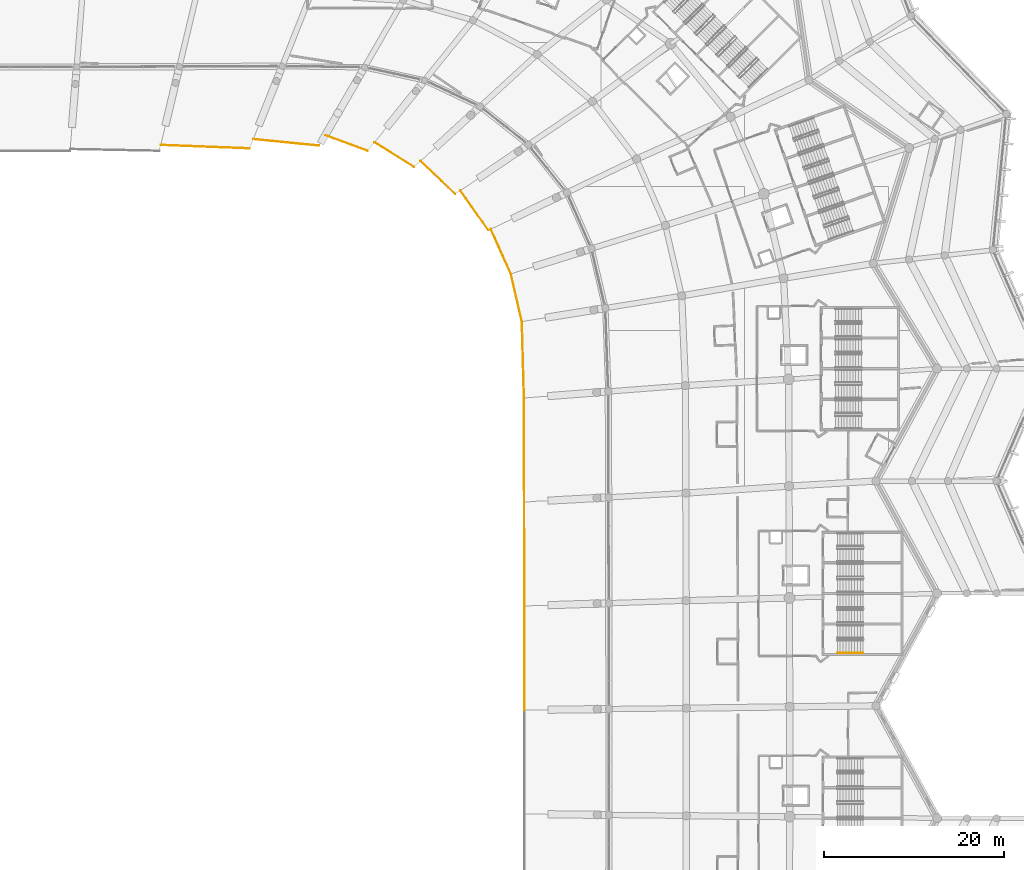
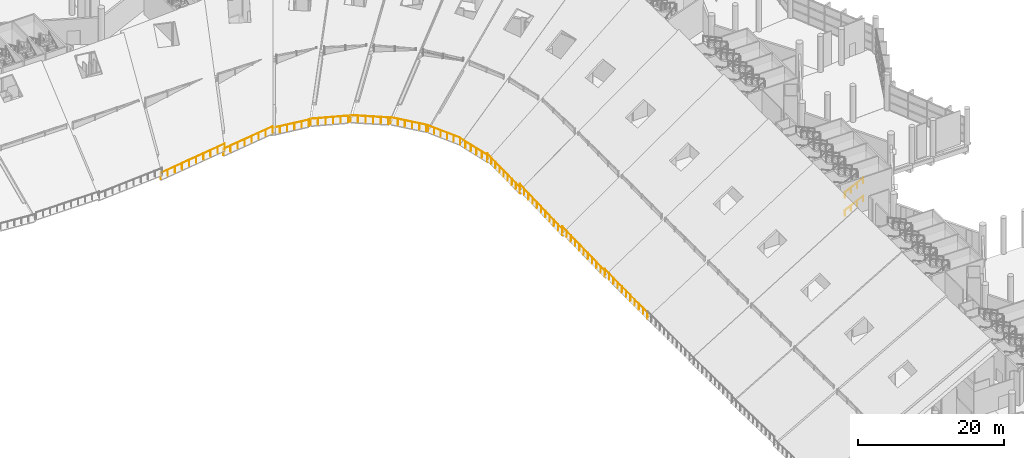
# One storey, part 240 of 249: 14 railings.
"""IFC4 building model written with IfcOpenShell, lengths in metres."""

from ifc_helpers import new_model, si_unit, direction, frame, origin, origin_2d, place, context, subcontext, project, spatial, circle, extrude, material, type_object, element, save


model = new_model("IFC4")

# Units and contexts
model_context = context("Model", 3, precision=1e-05, world=origin(), true_north=direction((0.0, 1.0)))
body_context = subcontext(model_context, "Body", "Model", "MODEL_VIEW")
ifc_project = project(units=[si_unit("LENGTHUNIT", "METRE"), si_unit("AREAUNIT", "SQUARE_METRE"), si_unit("VOLUMEUNIT", "CUBIC_METRE"), si_unit("PLANEANGLEUNIT", "RADIAN"), si_unit("MASSUNIT", "GRAM", prefix="KILO")], contexts=[model_context])

# Site, building, storey
site_placement = place(None, origin())
site = spatial("IfcSite", under=ifc_project, at=site_placement, CompositionType="ELEMENT")
building_placement = place(site_placement, origin())
building = spatial("IfcBuilding", under=site, at=building_placement, Name="Meseta Stadium", CompositionType="ELEMENT")
storey_placement = place(building_placement, frame((0.0, 0.0, 12.0)))
storey = spatial("IfcBuildingStorey", under=building, at=storey_placement, Name="L02", CompositionType="ELEMENT", Elevation=12.0)

# Railings
ifc_material_1 = material(Name="Steel S355", Category="steel")
railing_type_1 = type_object("IfcRailingType", Name="Stair handrail 900", PredefinedType="HANDRAIL", material=ifc_material_1)
for number, where, name in (
    (1, (90.300048828125, 12.10009765625, 0.14990234375), "ST13 L02 handrail 1"),
    (2, (90.300048828125, 12.10009765625, 3.14990234375), "ST13 L02 handrail 3"),
):
    element("IfcRailing", number, at=place(storey_placement, frame(where)), inside=storey, type_object=railing_type_1, Name=name, PredefinedType="HANDRAIL", context=body_context, shape_type="SweptSolid", body=[
        extrude(circle(Radius=0.02392578125, at=origin_2d()), frame((0.0, 0.0, 0.8759765625), z_axis=(0.905440498372, 0.0, 0.424473207528), x_axis=(0.0, 1.0, 0.0)), (0.0, 0.0, 1.0), 3.1806640625),
        extrude(circle(Radius=0.02099609375, at=origin_2d()), origin(), (0.0, 0.0, 1.0), 0.851806640625),
        extrude(circle(Radius=0.02099609375, at=origin_2d()), frame((0.9599609375, 0.0, 0.449951171875)), (0.0, 0.0, 1.0), 0.851806640625),
        extrude(circle(Radius=0.02099609375, at=origin_2d()), frame((1.919921875, 0.0, 0.900146484375)), (0.0, 0.0, 1.0), 0.851806640625),
        extrude(circle(Radius=0.02099609375, at=origin_2d()), frame((2.8798828125, 0.0, 1.35009765625)), (0.0, 0.0, 1.0), 0.851806640625),
    ])
ifc_material_2 = material(Name="Steel S355", Category="steel")
railing_type_2 = type_object("IfcRailingType", Name="Stand edge guard 1100", PredefinedType="GUARDRAIL", material=ifc_material_2)
railing_1_placement = place(storey_placement, frame((55.4990234375, 5.783935546875, -1.0146484375)))
element("IfcRailing", 3, at=railing_1_placement, inside=storey, type_object=railing_type_2, Name="Stand upper tier front guard bay 06", PredefinedType="GUARDRAIL", context=body_context, shape_type="SweptSolid", body=[
    extrude(circle(Radius=0.02490234375, at=origin_2d()), frame((0.0, 0.0, 1.0751953125), z_axis=(-0.000590889044, 0.999910880871, 0.013337209842), x_axis=(-0.999999825394, -0.000590941605, 0.0)), (0.0, 0.0, 1.0), 11.56884765625),
    extrude(circle(Radius=0.02001953125, at=origin_2d()), origin(), (0.0, 0.0, 1.0), 1.050048828125),
    extrude(circle(Radius=0.02001953125, at=origin_2d()), frame((-0.000732421875, 1.15673828125, 0.015380859375)), (0.0, 0.0, 1.0), 1.050048828125),
    extrude(circle(Radius=0.02001953125, at=origin_2d()), frame((-0.00146484375, 2.3134765625, 0.03076171875)), (0.0, 0.0, 1.0), 1.050048828125),
    extrude(circle(Radius=0.02001953125, at=origin_2d()), frame((-0.001953125, 3.470458984375, 0.04638671875)), (0.0, 0.0, 1.0), 1.050048828125),
    extrude(circle(Radius=0.02001953125, at=origin_2d()), frame((-0.002685546875, 4.627197265625, 0.061767578125)), (0.0, 0.0, 1.0), 1.050048828125),
    extrude(circle(Radius=0.02001953125, at=origin_2d()), frame((-0.00341796875, 5.783935546875, 0.0771484375)), (0.0, 0.0, 1.0), 1.050048828125),
    extrude(circle(Radius=0.02001953125, at=origin_2d()), frame((-0.004150390625, 6.940673828125, 0.092529296875)), (0.0, 0.0, 1.0), 1.050048828125),
    extrude(circle(Radius=0.02001953125, at=origin_2d()), frame((-0.0048828125, 8.097412109375, 0.10791015625)), (0.0, 0.0, 1.0), 1.050048828125),
    extrude(circle(Radius=0.02001953125, at=origin_2d()), frame((-0.00537109375, 9.25439453125, 0.12353515625)), (0.0, 0.0, 1.0), 1.050048828125),
    extrude(circle(Radius=0.02001953125, at=origin_2d()), frame((-0.006103515625, 10.4111328125, 0.138916015625)), (0.0, 0.0, 1.0), 1.050048828125),
    extrude(circle(Radius=0.02001953125, at=origin_2d()), frame((-0.0068359375, 11.56787109375, 0.154296875)), (0.0, 0.0, 1.0), 1.050048828125),
])
railing_2_placement = place(storey_placement, frame((55.4921875, 17.351806640625, -1.091552734375)))
element("IfcRailing", 4, at=railing_2_placement, inside=storey, type_object=railing_type_2, Name="Stand upper tier front guard bay 07", PredefinedType="GUARDRAIL", context=body_context, shape_type="SweptSolid", body=[
    extrude(circle(Radius=0.02490234375, at=origin_2d()), frame((0.0, 0.0, 1.0751953125), z_axis=(-0.00120266259, 0.999644705221, 0.026627371733), x_axis=(-0.999999276288, -0.001203089171, 0.0)), (0.0, 0.0, 1.0), 11.571044921875),
    extrude(circle(Radius=0.02001953125, at=origin_2d()), origin(), (0.0, 0.0, 1.0), 1.050048828125),
    extrude(circle(Radius=0.02001953125, at=origin_2d()), frame((-0.00146484375, 1.15673828125, 0.03076171875)), (0.0, 0.0, 1.0), 1.050048828125),
    extrude(circle(Radius=0.02001953125, at=origin_2d()), frame((-0.002685546875, 2.3134765625, 0.0615234375)), (0.0, 0.0, 1.0), 1.050048828125),
    extrude(circle(Radius=0.02001953125, at=origin_2d()), frame((-0.004150390625, 3.469970703125, 0.092529296875)), (0.0, 0.0, 1.0), 1.050048828125),
    extrude(circle(Radius=0.02001953125, at=origin_2d()), frame((-0.005615234375, 4.626708984375, 0.123291015625)), (0.0, 0.0, 1.0), 1.050048828125),
    extrude(circle(Radius=0.02001953125, at=origin_2d()), frame((-0.0068359375, 5.783447265625, 0.154052734375)), (0.0, 0.0, 1.0), 1.050048828125),
    extrude(circle(Radius=0.02001953125, at=origin_2d()), frame((-0.00830078125, 6.940185546875, 0.184814453125)), (0.0, 0.0, 1.0), 1.050048828125),
    extrude(circle(Radius=0.02001953125, at=origin_2d()), frame((-0.009765625, 8.096923828125, 0.215576171875)), (0.0, 0.0, 1.0), 1.050048828125),
    extrude(circle(Radius=0.02001953125, at=origin_2d()), frame((-0.01123046875, 9.25341796875, 0.24658203125)), (0.0, 0.0, 1.0), 1.050048828125),
    extrude(circle(Radius=0.02001953125, at=origin_2d()), frame((-0.012451171875, 10.41015625, 0.27734375)), (0.0, 0.0, 1.0), 1.050048828125),
    extrude(circle(Radius=0.02001953125, at=origin_2d()), frame((-0.013916015625, 11.56689453125, 0.30810546875)), (0.0, 0.0, 1.0), 1.050048828125),
])
railing_3_placement = place(storey_placement, frame((55.478271484375, 28.918701171875, -1.168212890625)))
element("IfcRailing", 5, at=railing_3_placement, inside=storey, type_object=railing_type_2, Name="Stand upper tier front guard bay 08", PredefinedType="GUARDRAIL", context=body_context, shape_type="SweptSolid", body=[
    extrude(circle(Radius=0.02490234375, at=origin_2d()), frame((0.0, 0.0, 1.0751953125), z_axis=(-0.001792804063, 0.999203525403, 0.039863525626), x_axis=(-0.999998390368, -0.001794230236, 0.0)), (0.0, 0.0, 1.0), 11.5751953125),
    extrude(circle(Radius=0.02001953125, at=origin_2d()), origin(), (0.0, 0.0, 1.0), 1.050048828125),
    extrude(circle(Radius=0.02001953125, at=origin_2d()), frame((-0.001953125, 1.156494140625, 0.046142578125)), (0.0, 0.0, 1.0), 1.050048828125),
    extrude(circle(Radius=0.02001953125, at=origin_2d()), frame((-0.004150390625, 2.313232421875, 0.09228515625)), (0.0, 0.0, 1.0), 1.050048828125),
    extrude(circle(Radius=0.02001953125, at=origin_2d()), frame((-0.00634765625, 3.4697265625, 0.138427734375)), (0.0, 0.0, 1.0), 1.050048828125),
    extrude(circle(Radius=0.02001953125, at=origin_2d()), frame((-0.00830078125, 4.62646484375, 0.1845703125)), (0.0, 0.0, 1.0), 1.050048828125),
    extrude(circle(Radius=0.02001953125, at=origin_2d()), frame((-0.01025390625, 5.782958984375, 0.230712890625)), (0.0, 0.0, 1.0), 1.050048828125),
    extrude(circle(Radius=0.02001953125, at=origin_2d()), frame((-0.012451171875, 6.939453125, 0.27685546875)), (0.0, 0.0, 1.0), 1.050048828125),
    extrude(circle(Radius=0.02001953125, at=origin_2d()), frame((-0.014404296875, 8.09619140625, 0.322998046875)), (0.0, 0.0, 1.0), 1.050048828125),
    extrude(circle(Radius=0.02001953125, at=origin_2d()), frame((-0.0166015625, 9.252685546875, 0.369140625)), (0.0, 0.0, 1.0), 1.050048828125),
    extrude(circle(Radius=0.02001953125, at=origin_2d()), frame((-0.0185546875, 10.409423828125, 0.415283203125)), (0.0, 0.0, 1.0), 1.050048828125),
    extrude(circle(Radius=0.02001953125, at=origin_2d()), frame((-0.020751953125, 11.56591796875, 0.46142578125)), (0.0, 0.0, 1.0), 1.050048828125),
])
railing_4_placement = place(storey_placement, frame((55.45751953125, 40.484619140625, -1.177734375)))
element("IfcRailing", 6, at=railing_4_placement, inside=storey, type_object=railing_type_2, Name="Stand upper tier front guard bay 09", PredefinedType="GUARDRAIL", context=body_context, shape_type="SweptSolid", body=[
    extrude(circle(Radius=0.02490234375, at=origin_2d()), frame((0.0, 0.0, 1.0751953125), z_axis=(-0.027746765401, 0.998023634035, 0.056382115232), x_axis=(-0.999613756303, -0.027790973522, 0.0)), (0.0, 0.0, 1.0), 8.517333984375),
    extrude(circle(Radius=0.02001953125, at=origin_2d()), origin(), (0.0, 0.0, 1.0), 1.050048828125),
    extrude(circle(Radius=0.02001953125, at=origin_2d()), frame((-0.029541015625, 1.0625, 0.06005859375)), (0.0, 0.0, 1.0), 1.050048828125),
    extrude(circle(Radius=0.02001953125, at=origin_2d()), frame((-0.05908203125, 2.125, 0.1201171875)), (0.0, 0.0, 1.0), 1.050048828125),
    extrude(circle(Radius=0.02001953125, at=origin_2d()), frame((-0.088623046875, 3.187744140625, 0.18017578125)), (0.0, 0.0, 1.0), 1.050048828125),
    extrude(circle(Radius=0.02001953125, at=origin_2d()), frame((-0.1181640625, 4.250244140625, 0.240234375)), (0.0, 0.0, 1.0), 1.050048828125),
    extrude(circle(Radius=0.02001953125, at=origin_2d()), frame((-0.147705078125, 5.312744140625, 0.300048828125)), (0.0, 0.0, 1.0), 1.050048828125),
    extrude(circle(Radius=0.02001953125, at=origin_2d()), frame((-0.17724609375, 6.37548828125, 0.360107421875)), (0.0, 0.0, 1.0), 1.050048828125),
    extrude(circle(Radius=0.02001953125, at=origin_2d()), frame((-0.206787109375, 7.43798828125, 0.420166015625)), (0.0, 0.0, 1.0), 1.050048828125),
    extrude(circle(Radius=0.02001953125, at=origin_2d()), frame((-0.236328125, 8.50048828125, 0.480224609375)), (0.0, 0.0, 1.0), 1.050048828125),
])
railing_5_placement = place(storey_placement, frame((55.22119140625, 48.985107421875, -0.9453125)))
element("IfcRailing", 7, at=railing_5_placement, inside=storey, type_object=railing_type_2, Name="Stand upper tier front guard bay 10", PredefinedType="GUARDRAIL", context=body_context, shape_type="SweptSolid", body=[
    extrude(circle(Radius=0.02490234375, at=origin_2d()), frame((0.0, 0.0, 1.0751953125), z_axis=(-0.225264487262, 0.974293558319, 0.002823649562), x_axis=(-0.974297442362, -0.225265385284, 0.0)), (0.0, 0.0, 1.0), 5.447265625),
    extrude(circle(Radius=0.02001953125, at=origin_2d()), origin(), (0.0, 0.0, 1.0), 1.050048828125),
    extrude(circle(Radius=0.02001953125, at=origin_2d()), frame((-0.245361328125, 1.0615234375, 0.003173828125)), (0.0, 0.0, 1.0), 1.050048828125),
    extrude(circle(Radius=0.02001953125, at=origin_2d()), frame((-0.49072265625, 2.122802734375, 0.006103515625)), (0.0, 0.0, 1.0), 1.050048828125),
    extrude(circle(Radius=0.02001953125, at=origin_2d()), frame((-0.736328125, 3.184326171875, 0.00927734375)), (0.0, 0.0, 1.0), 1.050048828125),
    extrude(circle(Radius=0.02001953125, at=origin_2d()), frame((-0.981689453125, 4.24560546875, 0.01220703125)), (0.0, 0.0, 1.0), 1.050048828125),
    extrude(circle(Radius=0.02001953125, at=origin_2d()), frame((-1.22705078125, 5.30712890625, 0.015380859375)), (0.0, 0.0, 1.0), 1.050048828125),
])
railing_6_placement = place(storey_placement, frame((53.994140625, 54.292236328125, -0.860595703125)))
element("IfcRailing", 8, at=railing_6_placement, inside=storey, type_object=railing_type_2, Name="Stand upper tier front guard bay 11", PredefinedType="GUARDRAIL", context=body_context, shape_type="SweptSolid", body=[
    extrude(circle(Radius=0.02490234375, at=origin_2d()), frame((0.0, 0.0, 1.0751953125), z_axis=(-0.408389514087, 0.912370036516, -0.028265195063), x_axis=(-0.912734710946, -0.408552747432, 0.0)), (0.0, 0.0, 1.0), 5.4501953125),
    extrude(circle(Radius=0.02001953125, at=origin_2d()), origin(), (0.0, 0.0, 1.0), 1.050048828125),
    extrude(circle(Radius=0.02001953125, at=origin_2d()), frame((-0.445068359375, 0.99462890625, -0.03076171875)), (0.0, 0.0, 1.0), 1.050048828125),
    extrude(circle(Radius=0.02001953125, at=origin_2d()), frame((-0.890380859375, 1.989013671875, -0.0615234375)), (0.0, 0.0, 1.0), 1.050048828125),
    extrude(circle(Radius=0.02001953125, at=origin_2d()), frame((-1.33544921875, 2.983642578125, -0.092529296875)), (0.0, 0.0, 1.0), 1.050048828125),
    extrude(circle(Radius=0.02001953125, at=origin_2d()), frame((-1.78076171875, 3.97802734375, -0.123291015625)), (0.0, 0.0, 1.0), 1.050048828125),
    extrude(circle(Radius=0.02001953125, at=origin_2d()), frame((-2.225830078125, 4.97265625, -0.154052734375)), (0.0, 0.0, 1.0), 1.050048828125),
])
railing_7_placement = place(storey_placement, frame((51.501220703125, 59.136474609375, -0.777099609375)))
element("IfcRailing", 9, at=railing_7_placement, inside=storey, type_object=railing_type_2, Name="Stand upper tier front guard bay 12", PredefinedType="GUARDRAIL", context=body_context, shape_type="SweptSolid", body=[
    extrude(circle(Radius=0.02490234375, at=origin_2d()), frame((0.0, 0.0, 1.0751953125), z_axis=(-0.576195436545, 0.815161782267, -0.059245992576), x_axis=(-0.81659620423, -0.577209354773, 0.0)), (0.0, 0.0, 1.0), 5.4189453125),
    extrude(circle(Radius=0.02001953125, at=origin_2d()), origin(), (0.0, 0.0, 1.0), 1.050048828125),
    extrude(circle(Radius=0.02001953125, at=origin_2d()), frame((-0.62451171875, 0.883544921875, -0.064208984375)), (0.0, 0.0, 1.0), 1.050048828125),
    extrude(circle(Radius=0.02001953125, at=origin_2d()), frame((-1.2490234375, 1.766845703125, -0.12841796875)), (0.0, 0.0, 1.0), 1.050048828125),
    extrude(circle(Radius=0.02001953125, at=origin_2d()), frame((-1.873291015625, 2.650390625, -0.192626953125)), (0.0, 0.0, 1.0), 1.050048828125),
    extrude(circle(Radius=0.02001953125, at=origin_2d()), frame((-2.497802734375, 3.53369140625, -0.2568359375)), (0.0, 0.0, 1.0), 1.050048828125),
    extrude(circle(Radius=0.02001953125, at=origin_2d()), frame((-3.122314453125, 4.417236328125, -0.321044921875)), (0.0, 0.0, 1.0), 1.050048828125),
])
railing_8_placement = place(storey_placement, frame((47.803955078125, 63.16552734375, -0.6962890625)))
element("IfcRailing", 10, at=railing_8_placement, inside=storey, type_object=railing_type_2, Name="Stand upper tier front guard bay 13", PredefinedType="GUARDRAIL", context=body_context, shape_type="SweptSolid", body=[
    extrude(circle(Radius=0.02490234375, at=origin_2d()), frame((0.0, 0.0, 1.0751953125), z_axis=(-0.722775533546, 0.685136691221, -0.090461275965), x_axis=(-0.687957334408, -0.7257511323, 0.0)), (0.0, 0.0, 1.0), 5.33837890625),
    extrude(circle(Radius=0.02001953125, at=origin_2d()), origin(), (0.0, 0.0, 1.0), 1.050048828125),
    extrude(circle(Radius=0.02001953125, at=origin_2d()), frame((-0.771728515625, 0.7314453125, -0.0966796875)), (0.0, 0.0, 1.0), 1.050048828125),
    extrude(circle(Radius=0.02001953125, at=origin_2d()), frame((-1.54345703125, 1.462890625, -0.193115234375)), (0.0, 0.0, 1.0), 1.050048828125),
    extrude(circle(Radius=0.02001953125, at=origin_2d()), frame((-2.31494140625, 2.194580078125, -0.289794921875)), (0.0, 0.0, 1.0), 1.050048828125),
    extrude(circle(Radius=0.02001953125, at=origin_2d()), frame((-3.086669921875, 2.926025390625, -0.38623046875)), (0.0, 0.0, 1.0), 1.050048828125),
    extrude(circle(Radius=0.02001953125, at=origin_2d()), frame((-3.8583984375, 3.657470703125, -0.48291015625)), (0.0, 0.0, 1.0), 1.050048828125),
])
railing_9_placement = place(storey_placement, frame((43.232421875, 66.17041015625, -0.619140625)))
element("IfcRailing", 11, at=railing_9_placement, inside=storey, type_object=railing_type_2, Name="Stand upper tier front guard bay 14", PredefinedType="GUARDRAIL", context=body_context, shape_type="SweptSolid", body=[
    extrude(circle(Radius=0.02490234375, at=origin_2d()), frame((0.0, 0.0, 1.0751953125), z_axis=(-0.841818734537, 0.525827302755, -0.121847715862), x_axis=(-0.52977475675, -0.848138377336, 0.0)), (0.0, 0.0, 1.0), 5.2275390625),
    extrude(circle(Radius=0.02001953125, at=origin_2d()), origin(), (0.0, 0.0, 1.0), 1.050048828125),
    extrude(circle(Radius=0.02001953125, at=origin_2d()), frame((-0.880126953125, 0.5498046875, -0.12744140625)), (0.0, 0.0, 1.0), 1.050048828125),
    extrude(circle(Radius=0.02001953125, at=origin_2d()), frame((-1.76025390625, 1.099609375, -0.2548828125)), (0.0, 0.0, 1.0), 1.050048828125),
    extrude(circle(Radius=0.02001953125, at=origin_2d()), frame((-2.640380859375, 1.649169921875, -0.382080078125)), (0.0, 0.0, 1.0), 1.050048828125),
    extrude(circle(Radius=0.02001953125, at=origin_2d()), frame((-3.5205078125, 2.198974609375, -0.509521484375)), (0.0, 0.0, 1.0), 1.050048828125),
    extrude(circle(Radius=0.02001953125, at=origin_2d()), frame((-4.400634765625, 2.748779296875, -0.636962890625)), (0.0, 0.0, 1.0), 1.050048828125),
])
railing_10_placement = place(storey_placement, frame((38.063720703125, 67.967529296875, -0.547607421875)))
element("IfcRailing", 12, at=railing_10_placement, inside=storey, type_object=railing_type_2, Name="Stand upper tier front guard bay 15", PredefinedType="GUARDRAIL", context=body_context, shape_type="SweptSolid", body=[
    extrude(circle(Radius=0.02490234375, at=origin_2d()), frame((0.0, 0.0, 1.0751953125), z_axis=(-0.927243693647, 0.341636295197, -0.153309407393), x_axis=(-0.345723355199, -0.938336486379, 0.0)), (0.0, 0.0, 1.0), 5.089599609375),
    extrude(circle(Radius=0.02001953125, at=origin_2d()), origin(), (0.0, 0.0, 1.0), 1.050048828125),
    extrude(circle(Radius=0.02001953125, at=origin_2d()), frame((-0.94384765625, 0.34765625, -0.156005859375)), (0.0, 0.0, 1.0), 1.050048828125),
    extrude(circle(Radius=0.02001953125, at=origin_2d()), frame((-1.8876953125, 0.695556640625, -0.31201171875)), (0.0, 0.0, 1.0), 1.050048828125),
    extrude(circle(Radius=0.02001953125, at=origin_2d()), frame((-2.83154296875, 1.043212890625, -0.46826171875)), (0.0, 0.0, 1.0), 1.050048828125),
    extrude(circle(Radius=0.02001953125, at=origin_2d()), frame((-3.775390625, 1.39111328125, -0.624267578125)), (0.0, 0.0, 1.0), 1.050048828125),
    extrude(circle(Radius=0.02001953125, at=origin_2d()), frame((-4.71923828125, 1.73876953125, -0.7802734375)), (0.0, 0.0, 1.0), 1.050048828125),
])
railing_11_placement = place(storey_placement, frame((32.6708984375, 68.541259765625, -0.14013671875)))
element("IfcRailing", 13, at=railing_11_placement, inside=storey, type_object=railing_type_2, Name="Stand upper tier front guard bay 16", PredefinedType="GUARDRAIL", context=body_context, shape_type="SweptSolid", body=[
    extrude(circle(Radius=0.02490234375, at=origin_2d()), frame((0.0, 0.0, 1.0751953125), z_axis=(-0.972509686186, 0.096881464205, -0.211751959067), x_axis=(-0.099129377406, -0.995074553255, 0.0)), (0.0, 0.0, 1.0), 7.5322265625),
    extrude(circle(Radius=0.02001953125, at=origin_2d()), origin(), (0.0, 0.0, 1.0), 1.050048828125),
    extrude(circle(Radius=0.02001953125, at=origin_2d()), frame((-1.04638671875, 0.104248046875, -0.227783203125)), (0.0, 0.0, 1.0), 1.050048828125),
    extrude(circle(Radius=0.02001953125, at=origin_2d()), frame((-2.093017578125, 0.20849609375, -0.455810546875)), (0.0, 0.0, 1.0), 1.050048828125),
    extrude(circle(Radius=0.02001953125, at=origin_2d()), frame((-3.139404296875, 0.312744140625, -0.68359375)), (0.0, 0.0, 1.0), 1.050048828125),
    extrude(circle(Radius=0.02001953125, at=origin_2d()), frame((-4.185791015625, 0.4169921875, -0.911376953125)), (0.0, 0.0, 1.0), 1.050048828125),
    extrude(circle(Radius=0.02001953125, at=origin_2d()), frame((-5.232177734375, 0.521240234375, -1.13916015625)), (0.0, 0.0, 1.0), 1.050048828125),
    extrude(circle(Radius=0.02001953125, at=origin_2d()), frame((-6.27880859375, 0.62548828125, -1.3671875)), (0.0, 0.0, 1.0), 1.050048828125),
    extrude(circle(Radius=0.02001953125, at=origin_2d()), frame((-7.3251953125, 0.729736328125, -1.594970703125)), (0.0, 0.0, 1.0), 1.050048828125),
])
railing_12_placement = place(storey_placement, frame((24.934326171875, 68.234619140625, -0.117431640625)))
element("IfcRailing", 14, at=railing_12_placement, inside=storey, type_object=railing_type_2, Name="Stand upper tier front guard bay 17", PredefinedType="GUARDRAIL", context=body_context, shape_type="SweptSolid", body=[
    extrude(circle(Radius=0.02490234375, at=origin_2d()), frame((0.0, 0.0, 1.0751953125), z_axis=(-0.98577854443, 0.038283607684, -0.163630763378), x_axis=(-0.038806657248, -0.999246737975, 0.0)), (0.0, 0.0, 1.0), 10.02490234375),
    extrude(circle(Radius=0.02001953125, at=origin_2d()), origin(), (0.0, 0.0, 1.0), 1.050048828125),
    extrude(circle(Radius=0.02001953125, at=origin_2d()), frame((-1.09814453125, 0.042724609375, -0.182373046875)), (0.0, 0.0, 1.0), 1.050048828125),
    extrude(circle(Radius=0.02001953125, at=origin_2d()), frame((-2.196044921875, 0.085205078125, -0.364501953125)), (0.0, 0.0, 1.0), 1.050048828125),
    extrude(circle(Radius=0.02001953125, at=origin_2d()), frame((-3.294189453125, 0.1279296875, -0.546875)), (0.0, 0.0, 1.0), 1.050048828125),
    extrude(circle(Radius=0.02001953125, at=origin_2d()), frame((-4.39208984375, 0.170654296875, -0.72900390625)), (0.0, 0.0, 1.0), 1.050048828125),
    extrude(circle(Radius=0.02001953125, at=origin_2d()), frame((-5.490234375, 0.213134765625, -0.911376953125)), (0.0, 0.0, 1.0), 1.050048828125),
    extrude(circle(Radius=0.02001953125, at=origin_2d()), frame((-6.588134765625, 0.255859375, -1.093505859375)), (0.0, 0.0, 1.0), 1.050048828125),
    extrude(circle(Radius=0.02001953125, at=origin_2d()), frame((-7.686279296875, 0.298583984375, -1.27587890625)), (0.0, 0.0, 1.0), 1.050048828125),
    extrude(circle(Radius=0.02001953125, at=origin_2d()), frame((-8.7841796875, 0.341064453125, -1.4580078125)), (0.0, 0.0, 1.0), 1.050048828125),
    extrude(circle(Radius=0.02001953125, at=origin_2d()), frame((-9.88232421875, 0.3837890625, -1.640380859375)), (0.0, 0.0, 1.0), 1.050048828125),
])

save(model, "model.ifc")
